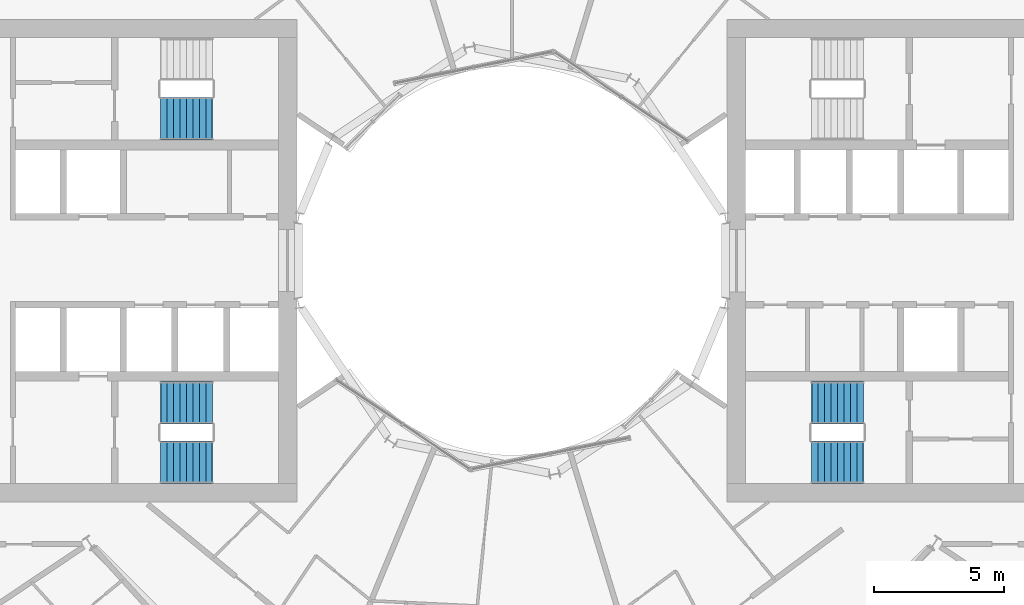
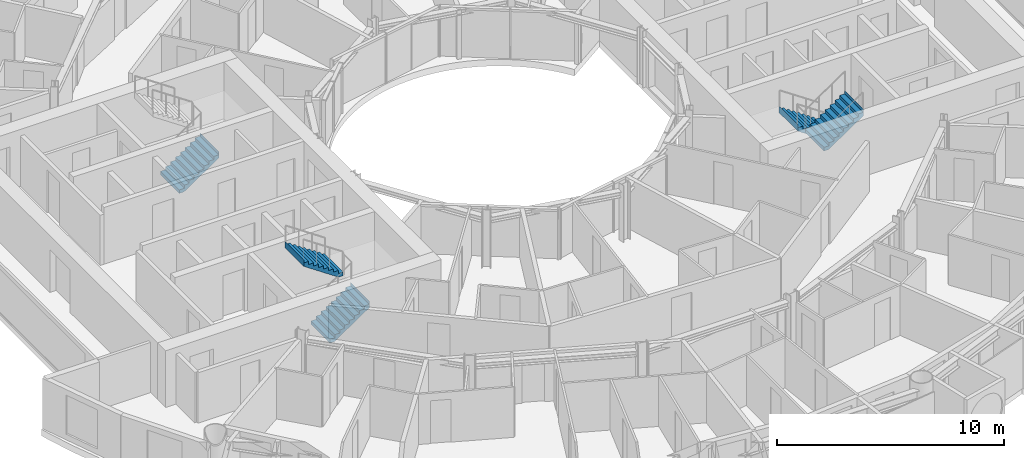
# One storey, part 24 of 26: 5 stair flights, 3 elements without a shape of their own.
"""IFC4 building model written with IfcOpenShell, lengths in metres."""

from ifc_helpers import new_model, si_unit, direction, frame, origin, place, context, subcontext, project, spatial, triangles, material, type_object, element, aggregate, save


model = new_model("IFC4")

# Units and contexts
model_context = context("Model", 3, precision=1e-05, world=origin(), true_north=direction((0.0, 1.0)))
body_context = subcontext(model_context, "Body", "Model", "MODEL_VIEW")
ifc_project = project(units=[si_unit("LENGTHUNIT", "METRE"), si_unit("AREAUNIT", "SQUARE_METRE"), si_unit("VOLUMEUNIT", "CUBIC_METRE"), si_unit("PLANEANGLEUNIT", "RADIAN"), si_unit("MASSUNIT", "GRAM", prefix="KILO")], contexts=[model_context])

# Site, building, storey
site_placement = place(None, origin())
site = spatial("IfcSite", under=ifc_project, at=site_placement, CompositionType="ELEMENT")
building_placement = place(site_placement, origin())
building = spatial("IfcBuilding", under=site, at=building_placement, Name="Maasbend Ring Residences", CompositionType="ELEMENT")
storey_placement = place(building_placement, frame((0.0, 0.0, 78.85009765625)))
storey = spatial("IfcBuildingStorey", under=building, at=storey_placement, Name="L22", CompositionType="ELEMENT", Elevation=78.85009765625)

# Stair, stair flights
ifc_material_1 = material(Name="Concrete C40/50", Category="concrete")
stair_type = type_object("IfcStairType", Name="CORE STAIR 18 RISERS", PredefinedType="HALF_TURN_STAIR", material=ifc_material_1)
stair_1_placement = place(storey_placement, origin())
stair_1 = element("IfcStair", 1, at=stair_1_placement, inside=storey, type_object=stair_type, Name="L22 Exit stair ST-E2", PredefinedType="HALF_TURN_STAIR")
ifc_material_2 = material(Name="Concrete C40/50", Category="concrete")
stair_flight_type = type_object("IfcStairFlightType", Name="CORE STAIR FLIGHT 1650", PredefinedType="STRAIGHT", material=ifc_material_2)
stair_flight_1_placement = place(storey_placement, frame((13.550048828125, -5.47509765625, 0.0), z_axis=(0.0, 0.0, 1.0), x_axis=(-1.0, 0.0, 0.0)))
stair_flight_1 = element("IfcStairFlight", 2, at=stair_flight_1_placement, type_object=stair_flight_type, Name="ST-E2 flight 1", NumberOfRisers=9, NumberOfTreads=8, PredefinedType="STRAIGHT", RiserHeight=0.169444444, TreadLength=0.25, context=body_context, shape_type="Tessellation", body=[
    triangles([(0.24072265625, 0.824951171875, -0.02001953125), (2.0029296875, 0.824951171875, 1.174560546875), (2.0029296875, 0.824951171875, 1.52490234375), (1.989990234375, 0.824951171875, 1.35546875), (1.75, 0.824951171875, 1.35546875), (1.75, 0.824951171875, 1.18603515625), (1.5, 0.824951171875, 1.18603515625), (1.5, 0.824951171875, 1.0166015625), (1.25, 0.824951171875, 1.0166015625), (1.25, 0.824951171875, 0.84716796875), (1.0, 0.824951171875, 0.84716796875), (1.0, 0.824951171875, 0.677734375), (0.75, 0.824951171875, 0.677734375), (0.75, 0.824951171875, 0.50830078125), (0.5, 0.824951171875, 0.50830078125), (0.5, 0.824951171875, 0.3388671875), (0.25, 0.824951171875, 0.3388671875), (0.25, 0.824951171875, 0.16943359375), (0.0, 0.824951171875, 0.16943359375), (0.0, 0.824951171875, 0.0), (-0.0029296875, 0.824951171875, 0.0), (-0.0029296875, 0.824951171875, -0.02001953125), (0.24072265625, 0.27490234375, -0.02001953125), (2.0029296875, 0.27490234375, 1.174560546875), (2.0029296875, 0.27490234375, 1.52490234375), (1.989990234375, 0.27490234375, 1.35546875), (1.75, 0.27490234375, 1.35546875), (1.75, 0.27490234375, 1.18603515625), (1.5, 0.27490234375, 1.18603515625), (1.5, 0.27490234375, 1.0166015625), (1.25, 0.27490234375, 1.0166015625), (1.25, 0.27490234375, 0.84716796875), (1.0, 0.27490234375, 0.84716796875), (1.0, 0.27490234375, 0.677734375), (0.75, 0.27490234375, 0.677734375), (0.75, 0.27490234375, 0.50830078125), (0.5, 0.27490234375, 0.50830078125), (0.5, 0.27490234375, 0.3388671875), (0.25, 0.27490234375, 0.3388671875), (0.25, 0.27490234375, 0.16943359375), (0.0, 0.27490234375, 0.16943359375), (0.0, 0.27490234375, 0.0), (-0.0029296875, 0.27490234375, 0.0), (-0.0029296875, 0.27490234375, -0.02001953125), (0.24072265625, -0.27490234375, -0.02001953125), (2.0029296875, -0.27490234375, 1.174560546875), (2.0029296875, -0.27490234375, 1.52490234375), (1.989990234375, -0.27490234375, 1.35546875), (1.75, -0.27490234375, 1.35546875), (1.75, -0.27490234375, 1.18603515625), (1.5, -0.27490234375, 1.18603515625), (1.5, -0.27490234375, 1.0166015625), (1.25, -0.27490234375, 1.0166015625), (1.25, -0.27490234375, 0.84716796875), (1.0, -0.27490234375, 0.84716796875), (1.0, -0.27490234375, 0.677734375), (0.75, -0.27490234375, 0.677734375), (0.75, -0.27490234375, 0.50830078125), (0.5, -0.27490234375, 0.50830078125), (0.5, -0.27490234375, 0.3388671875), (0.25, -0.27490234375, 0.3388671875), (0.25, -0.27490234375, 0.16943359375), (0.0, -0.27490234375, 0.16943359375), (0.0, -0.27490234375, 0.0), (-0.0029296875, -0.27490234375, 0.0), (-0.0029296875, -0.27490234375, -0.02001953125), (0.24072265625, -0.824951171875, -0.02001953125), (2.0029296875, -0.824951171875, 1.174560546875), (2.0029296875, -0.824951171875, 1.52490234375), (1.989990234375, -0.824951171875, 1.35546875), (1.75, -0.824951171875, 1.35546875), (1.75, -0.824951171875, 1.18603515625), (1.5, -0.824951171875, 1.18603515625), (1.5, -0.824951171875, 1.0166015625), (1.25, -0.824951171875, 1.0166015625), (1.25, -0.824951171875, 0.84716796875), (1.0, -0.824951171875, 0.84716796875), (1.0, -0.824951171875, 0.677734375), (0.75, -0.824951171875, 0.677734375), (0.75, -0.824951171875, 0.50830078125), (0.5, -0.824951171875, 0.50830078125), (0.5, -0.824951171875, 0.3388671875), (0.25, -0.824951171875, 0.3388671875), (0.25, -0.824951171875, 0.16943359375), (0.0, -0.824951171875, 0.16943359375), (0.0, -0.824951171875, 0.0), (-0.0029296875, -0.824951171875, 0.0), (-0.0029296875, -0.824951171875, -0.02001953125)], [[1, 2, 24], [1, 24, 23], [23, 24, 46], [23, 46, 45], [45, 46, 68], [45, 68, 67], [2, 3, 25], [2, 25, 24], [24, 25, 47], [24, 47, 46], [46, 47, 69], [46, 69, 68], [3, 4, 26], [3, 26, 25], [25, 26, 48], [25, 48, 47], [47, 48, 70], [47, 70, 69], [4, 5, 27], [4, 27, 26], [26, 27, 49], [26, 49, 48], [48, 49, 71], [48, 71, 70], [5, 6, 28], [5, 28, 27], [27, 28, 50], [27, 50, 49], [49, 50, 72], [49, 72, 71], [6, 7, 29], [6, 29, 28], [28, 29, 51], [28, 51, 50], [50, 51, 73], [50, 73, 72], [7, 8, 30], [7, 30, 29], [29, 30, 52], [29, 52, 51], [51, 52, 74], [51, 74, 73], [8, 9, 31], [8, 31, 30], [30, 31, 53], [30, 53, 52], [52, 53, 75], [52, 75, 74], [9, 10, 32], [9, 32, 31], [31, 32, 54], [31, 54, 53], [53, 54, 76], [53, 76, 75], [10, 11, 33], [10, 33, 32], [32, 33, 55], [32, 55, 54], [54, 55, 77], [54, 77, 76], [11, 12, 34], [11, 34, 33], [33, 34, 56], [33, 56, 55], [55, 56, 78], [55, 78, 77], [12, 13, 35], [12, 35, 34], [34, 35, 57], [34, 57, 56], [56, 57, 79], [56, 79, 78], [13, 14, 36], [13, 36, 35], [35, 36, 58], [35, 58, 57], [57, 58, 80], [57, 80, 79], [14, 15, 37], [14, 37, 36], [36, 37, 59], [36, 59, 58], [58, 59, 81], [58, 81, 80], [15, 16, 38], [15, 38, 37], [37, 38, 60], [37, 60, 59], [59, 60, 82], [59, 82, 81], [16, 17, 39], [16, 39, 38], [38, 39, 61], [38, 61, 60], [60, 61, 83], [60, 83, 82], [17, 18, 40], [17, 40, 39], [39, 40, 62], [39, 62, 61], [61, 62, 84], [61, 84, 83], [18, 19, 41], [18, 41, 40], [40, 41, 63], [40, 63, 62], [62, 63, 85], [62, 85, 84], [19, 20, 42], [19, 42, 41], [41, 42, 64], [41, 64, 63], [63, 64, 86], [63, 86, 85], [20, 21, 43], [20, 43, 42], [42, 43, 65], [42, 65, 64], [64, 65, 87], [64, 87, 86], [21, 22, 44], [21, 44, 43], [43, 44, 66], [43, 66, 65], [65, 66, 88], [65, 88, 87], [22, 1, 23], [22, 23, 44], [44, 23, 45], [44, 45, 66], [66, 45, 67], [66, 67, 88], [22, 2, 1], [2, 4, 3], [2, 5, 4], [2, 6, 5], [22, 6, 2], [6, 8, 7], [22, 8, 6], [8, 10, 9], [22, 10, 8], [10, 12, 11], [22, 12, 10], [12, 14, 13], [22, 14, 12], [14, 16, 15], [22, 16, 14], [16, 18, 17], [22, 18, 16], [18, 20, 19], [22, 20, 18], [20, 22, 21], [88, 67, 68], [68, 69, 70], [68, 70, 71], [68, 71, 72], [88, 68, 72], [72, 73, 74], [88, 72, 74], [74, 75, 76], [88, 74, 76], [76, 77, 78], [88, 76, 78], [78, 79, 80], [88, 78, 80], [80, 81, 82], [88, 80, 82], [82, 83, 84], [88, 82, 84], [84, 85, 86], [88, 84, 86], [86, 87, 88]], closed=True),
])
stair_flight_2_placement = place(storey_placement, frame((11.550048828125, -7.77490234375, 1.52490234375), z_axis=(0.0, 0.0, 1.0), x_axis=(1.0, 0.0, 0.0)))
stair_flight_2 = element("IfcStairFlight", 3, at=stair_flight_2_placement, type_object=stair_flight_type, Name="ST-E2 flight 2", NumberOfRisers=9, NumberOfTreads=8, PredefinedType="STRAIGHT", RiserHeight=0.169444444, TreadLength=0.25, context=body_context, shape_type="Tessellation", body=[
    triangles([(0.24072265625, 0.824951171875, -0.02001953125), (2.0029296875, 0.824951171875, 1.174560546875), (2.0029296875, 0.824951171875, 1.52490234375), (1.989990234375, 0.824951171875, 1.35546875), (1.75, 0.824951171875, 1.35546875), (1.75, 0.824951171875, 1.18603515625), (1.5, 0.824951171875, 1.18603515625), (1.5, 0.824951171875, 1.0166015625), (1.25, 0.824951171875, 1.0166015625), (1.25, 0.824951171875, 0.84716796875), (1.0, 0.824951171875, 0.84716796875), (1.0, 0.824951171875, 0.677734375), (0.75, 0.824951171875, 0.677734375), (0.75, 0.824951171875, 0.50830078125), (0.5, 0.824951171875, 0.50830078125), (0.5, 0.824951171875, 0.3388671875), (0.25, 0.824951171875, 0.3388671875), (0.25, 0.824951171875, 0.16943359375), (0.0, 0.824951171875, 0.16943359375), (0.0, 0.824951171875, 0.0), (-0.0029296875, 0.824951171875, 0.0), (-0.0029296875, 0.824951171875, -0.02001953125), (0.24072265625, 0.27490234375, -0.02001953125), (2.0029296875, 0.27490234375, 1.174560546875), (2.0029296875, 0.27490234375, 1.52490234375), (1.989990234375, 0.27490234375, 1.35546875), (1.75, 0.27490234375, 1.35546875), (1.75, 0.27490234375, 1.18603515625), (1.5, 0.27490234375, 1.18603515625), (1.5, 0.27490234375, 1.0166015625), (1.25, 0.27490234375, 1.0166015625), (1.25, 0.27490234375, 0.84716796875), (1.0, 0.27490234375, 0.84716796875), (1.0, 0.27490234375, 0.677734375), (0.75, 0.27490234375, 0.677734375), (0.75, 0.27490234375, 0.50830078125), (0.5, 0.27490234375, 0.50830078125), (0.5, 0.27490234375, 0.3388671875), (0.25, 0.27490234375, 0.3388671875), (0.25, 0.27490234375, 0.16943359375), (0.0, 0.27490234375, 0.16943359375), (0.0, 0.27490234375, 0.0), (-0.0029296875, 0.27490234375, 0.0), (-0.0029296875, 0.27490234375, -0.02001953125), (0.24072265625, -0.27490234375, -0.02001953125), (2.0029296875, -0.27490234375, 1.174560546875), (2.0029296875, -0.27490234375, 1.52490234375), (1.989990234375, -0.27490234375, 1.35546875), (1.75, -0.27490234375, 1.35546875), (1.75, -0.27490234375, 1.18603515625), (1.5, -0.27490234375, 1.18603515625), (1.5, -0.27490234375, 1.0166015625), (1.25, -0.27490234375, 1.0166015625), (1.25, -0.27490234375, 0.84716796875), (1.0, -0.27490234375, 0.84716796875), (1.0, -0.27490234375, 0.677734375), (0.75, -0.27490234375, 0.677734375), (0.75, -0.27490234375, 0.50830078125), (0.5, -0.27490234375, 0.50830078125), (0.5, -0.27490234375, 0.3388671875), (0.25, -0.27490234375, 0.3388671875), (0.25, -0.27490234375, 0.16943359375), (0.0, -0.27490234375, 0.16943359375), (0.0, -0.27490234375, 0.0), (-0.0029296875, -0.27490234375, 0.0), (-0.0029296875, -0.27490234375, -0.02001953125), (0.24072265625, -0.824951171875, -0.02001953125), (2.0029296875, -0.824951171875, 1.174560546875), (2.0029296875, -0.824951171875, 1.52490234375), (1.989990234375, -0.824951171875, 1.35546875), (1.75, -0.824951171875, 1.35546875), (1.75, -0.824951171875, 1.18603515625), (1.5, -0.824951171875, 1.18603515625), (1.5, -0.824951171875, 1.0166015625), (1.25, -0.824951171875, 1.0166015625), (1.25, -0.824951171875, 0.84716796875), (1.0, -0.824951171875, 0.84716796875), (1.0, -0.824951171875, 0.677734375), (0.75, -0.824951171875, 0.677734375), (0.75, -0.824951171875, 0.50830078125), (0.5, -0.824951171875, 0.50830078125), (0.5, -0.824951171875, 0.3388671875), (0.25, -0.824951171875, 0.3388671875), (0.25, -0.824951171875, 0.16943359375), (0.0, -0.824951171875, 0.16943359375), (0.0, -0.824951171875, 0.0), (-0.0029296875, -0.824951171875, 0.0), (-0.0029296875, -0.824951171875, -0.02001953125)], [[1, 2, 24], [1, 24, 23], [23, 24, 46], [23, 46, 45], [45, 46, 68], [45, 68, 67], [2, 3, 25], [2, 25, 24], [24, 25, 47], [24, 47, 46], [46, 47, 69], [46, 69, 68], [3, 4, 26], [3, 26, 25], [25, 26, 48], [25, 48, 47], [47, 48, 70], [47, 70, 69], [4, 5, 27], [4, 27, 26], [26, 27, 49], [26, 49, 48], [48, 49, 71], [48, 71, 70], [5, 6, 28], [5, 28, 27], [27, 28, 50], [27, 50, 49], [49, 50, 72], [49, 72, 71], [6, 7, 29], [6, 29, 28], [28, 29, 51], [28, 51, 50], [50, 51, 73], [50, 73, 72], [7, 8, 30], [7, 30, 29], [29, 30, 52], [29, 52, 51], [51, 52, 74], [51, 74, 73], [8, 9, 31], [8, 31, 30], [30, 31, 53], [30, 53, 52], [52, 53, 75], [52, 75, 74], [9, 10, 32], [9, 32, 31], [31, 32, 54], [31, 54, 53], [53, 54, 76], [53, 76, 75], [10, 11, 33], [10, 33, 32], [32, 33, 55], [32, 55, 54], [54, 55, 77], [54, 77, 76], [11, 12, 34], [11, 34, 33], [33, 34, 56], [33, 56, 55], [55, 56, 78], [55, 78, 77], [12, 13, 35], [12, 35, 34], [34, 35, 57], [34, 57, 56], [56, 57, 79], [56, 79, 78], [13, 14, 36], [13, 36, 35], [35, 36, 58], [35, 58, 57], [57, 58, 80], [57, 80, 79], [14, 15, 37], [14, 37, 36], [36, 37, 59], [36, 59, 58], [58, 59, 81], [58, 81, 80], [15, 16, 38], [15, 38, 37], [37, 38, 60], [37, 60, 59], [59, 60, 82], [59, 82, 81], [16, 17, 39], [16, 39, 38], [38, 39, 61], [38, 61, 60], [60, 61, 83], [60, 83, 82], [17, 18, 40], [17, 40, 39], [39, 40, 62], [39, 62, 61], [61, 62, 84], [61, 84, 83], [18, 19, 41], [18, 41, 40], [40, 41, 63], [40, 63, 62], [62, 63, 85], [62, 85, 84], [19, 20, 42], [19, 42, 41], [41, 42, 64], [41, 64, 63], [63, 64, 86], [63, 86, 85], [20, 21, 43], [20, 43, 42], [42, 43, 65], [42, 65, 64], [64, 65, 87], [64, 87, 86], [21, 22, 44], [21, 44, 43], [43, 44, 66], [43, 66, 65], [65, 66, 88], [65, 88, 87], [22, 1, 23], [22, 23, 44], [44, 23, 45], [44, 45, 66], [66, 45, 67], [66, 67, 88], [22, 2, 1], [2, 4, 3], [2, 5, 4], [2, 6, 5], [22, 6, 2], [6, 8, 7], [22, 8, 6], [8, 10, 9], [22, 10, 8], [10, 12, 11], [22, 12, 10], [12, 14, 13], [22, 14, 12], [14, 16, 15], [22, 16, 14], [16, 18, 17], [22, 18, 16], [18, 20, 19], [22, 20, 18], [20, 22, 21], [88, 67, 68], [68, 69, 70], [68, 70, 71], [68, 71, 72], [88, 68, 72], [72, 73, 74], [88, 72, 74], [74, 75, 76], [88, 74, 76], [76, 77, 78], [88, 76, 78], [78, 79, 80], [88, 78, 80], [80, 81, 82], [88, 80, 82], [82, 83, 84], [88, 82, 84], [84, 85, 86], [88, 84, 86], [86, 87, 88]], closed=True),
])
aggregate(stair_1, [stair_flight_1, stair_flight_2])

stair_2_placement = place(storey_placement, origin())
stair_2 = element("IfcStair", 4, at=stair_2_placement, inside=storey, type_object=stair_type, Name="L22 Exit stair ST-W1", PredefinedType="HALF_TURN_STAIR")
stair_flight_3_placement = place(storey_placement, frame((-13.550048828125, -7.77490234375, 0.0), z_axis=(0.0, 0.0, 1.0), x_axis=(1.0, 0.0, 0.0)))
stair_flight_3 = element("IfcStairFlight", 5, at=stair_flight_3_placement, type_object=stair_flight_type, Name="ST-W1 flight 1", NumberOfRisers=9, NumberOfTreads=8, PredefinedType="STRAIGHT", RiserHeight=0.169444444, TreadLength=0.25, context=body_context, shape_type="Tessellation", body=[
    triangles([(0.24072265625, 0.824951171875, -0.02001953125), (2.0029296875, 0.824951171875, 1.174560546875), (2.0029296875, 0.824951171875, 1.52490234375), (1.989990234375, 0.824951171875, 1.35546875), (1.75, 0.824951171875, 1.35546875), (1.75, 0.824951171875, 1.18603515625), (1.5, 0.824951171875, 1.18603515625), (1.5, 0.824951171875, 1.0166015625), (1.25, 0.824951171875, 1.0166015625), (1.25, 0.824951171875, 0.84716796875), (1.0, 0.824951171875, 0.84716796875), (1.0, 0.824951171875, 0.677734375), (0.75, 0.824951171875, 0.677734375), (0.75, 0.824951171875, 0.50830078125), (0.5, 0.824951171875, 0.50830078125), (0.5, 0.824951171875, 0.3388671875), (0.25, 0.824951171875, 0.3388671875), (0.25, 0.824951171875, 0.16943359375), (0.0, 0.824951171875, 0.16943359375), (0.0, 0.824951171875, 0.0), (-0.0029296875, 0.824951171875, 0.0), (-0.0029296875, 0.824951171875, -0.02001953125), (0.24072265625, 0.27490234375, -0.02001953125), (2.0029296875, 0.27490234375, 1.174560546875), (2.0029296875, 0.27490234375, 1.52490234375), (1.989990234375, 0.27490234375, 1.35546875), (1.75, 0.27490234375, 1.35546875), (1.75, 0.27490234375, 1.18603515625), (1.5, 0.27490234375, 1.18603515625), (1.5, 0.27490234375, 1.0166015625), (1.25, 0.27490234375, 1.0166015625), (1.25, 0.27490234375, 0.84716796875), (1.0, 0.27490234375, 0.84716796875), (1.0, 0.27490234375, 0.677734375), (0.75, 0.27490234375, 0.677734375), (0.75, 0.27490234375, 0.50830078125), (0.5, 0.27490234375, 0.50830078125), (0.5, 0.27490234375, 0.3388671875), (0.25, 0.27490234375, 0.3388671875), (0.25, 0.27490234375, 0.16943359375), (0.0, 0.27490234375, 0.16943359375), (0.0, 0.27490234375, 0.0), (-0.0029296875, 0.27490234375, 0.0), (-0.0029296875, 0.27490234375, -0.02001953125), (0.24072265625, -0.27490234375, -0.02001953125), (2.0029296875, -0.27490234375, 1.174560546875), (2.0029296875, -0.27490234375, 1.52490234375), (1.989990234375, -0.27490234375, 1.35546875), (1.75, -0.27490234375, 1.35546875), (1.75, -0.27490234375, 1.18603515625), (1.5, -0.27490234375, 1.18603515625), (1.5, -0.27490234375, 1.0166015625), (1.25, -0.27490234375, 1.0166015625), (1.25, -0.27490234375, 0.84716796875), (1.0, -0.27490234375, 0.84716796875), (1.0, -0.27490234375, 0.677734375), (0.75, -0.27490234375, 0.677734375), (0.75, -0.27490234375, 0.50830078125), (0.5, -0.27490234375, 0.50830078125), (0.5, -0.27490234375, 0.3388671875), (0.25, -0.27490234375, 0.3388671875), (0.25, -0.27490234375, 0.16943359375), (0.0, -0.27490234375, 0.16943359375), (0.0, -0.27490234375, 0.0), (-0.0029296875, -0.27490234375, 0.0), (-0.0029296875, -0.27490234375, -0.02001953125), (0.24072265625, -0.824951171875, -0.02001953125), (2.0029296875, -0.824951171875, 1.174560546875), (2.0029296875, -0.824951171875, 1.52490234375), (1.989990234375, -0.824951171875, 1.35546875), (1.75, -0.824951171875, 1.35546875), (1.75, -0.824951171875, 1.18603515625), (1.5, -0.824951171875, 1.18603515625), (1.5, -0.824951171875, 1.0166015625), (1.25, -0.824951171875, 1.0166015625), (1.25, -0.824951171875, 0.84716796875), (1.0, -0.824951171875, 0.84716796875), (1.0, -0.824951171875, 0.677734375), (0.75, -0.824951171875, 0.677734375), (0.75, -0.824951171875, 0.50830078125), (0.5, -0.824951171875, 0.50830078125), (0.5, -0.824951171875, 0.3388671875), (0.25, -0.824951171875, 0.3388671875), (0.25, -0.824951171875, 0.16943359375), (0.0, -0.824951171875, 0.16943359375), (0.0, -0.824951171875, 0.0), (-0.0029296875, -0.824951171875, 0.0), (-0.0029296875, -0.824951171875, -0.02001953125)], [[1, 2, 24], [1, 24, 23], [23, 24, 46], [23, 46, 45], [45, 46, 68], [45, 68, 67], [2, 3, 25], [2, 25, 24], [24, 25, 47], [24, 47, 46], [46, 47, 69], [46, 69, 68], [3, 4, 26], [3, 26, 25], [25, 26, 48], [25, 48, 47], [47, 48, 70], [47, 70, 69], [4, 5, 27], [4, 27, 26], [26, 27, 49], [26, 49, 48], [48, 49, 71], [48, 71, 70], [5, 6, 28], [5, 28, 27], [27, 28, 50], [27, 50, 49], [49, 50, 72], [49, 72, 71], [6, 7, 29], [6, 29, 28], [28, 29, 51], [28, 51, 50], [50, 51, 73], [50, 73, 72], [7, 8, 30], [7, 30, 29], [29, 30, 52], [29, 52, 51], [51, 52, 74], [51, 74, 73], [8, 9, 31], [8, 31, 30], [30, 31, 53], [30, 53, 52], [52, 53, 75], [52, 75, 74], [9, 10, 32], [9, 32, 31], [31, 32, 54], [31, 54, 53], [53, 54, 76], [53, 76, 75], [10, 11, 33], [10, 33, 32], [32, 33, 55], [32, 55, 54], [54, 55, 77], [54, 77, 76], [11, 12, 34], [11, 34, 33], [33, 34, 56], [33, 56, 55], [55, 56, 78], [55, 78, 77], [12, 13, 35], [12, 35, 34], [34, 35, 57], [34, 57, 56], [56, 57, 79], [56, 79, 78], [13, 14, 36], [13, 36, 35], [35, 36, 58], [35, 58, 57], [57, 58, 80], [57, 80, 79], [14, 15, 37], [14, 37, 36], [36, 37, 59], [36, 59, 58], [58, 59, 81], [58, 81, 80], [15, 16, 38], [15, 38, 37], [37, 38, 60], [37, 60, 59], [59, 60, 82], [59, 82, 81], [16, 17, 39], [16, 39, 38], [38, 39, 61], [38, 61, 60], [60, 61, 83], [60, 83, 82], [17, 18, 40], [17, 40, 39], [39, 40, 62], [39, 62, 61], [61, 62, 84], [61, 84, 83], [18, 19, 41], [18, 41, 40], [40, 41, 63], [40, 63, 62], [62, 63, 85], [62, 85, 84], [19, 20, 42], [19, 42, 41], [41, 42, 64], [41, 64, 63], [63, 64, 86], [63, 86, 85], [20, 21, 43], [20, 43, 42], [42, 43, 65], [42, 65, 64], [64, 65, 87], [64, 87, 86], [21, 22, 44], [21, 44, 43], [43, 44, 66], [43, 66, 65], [65, 66, 88], [65, 88, 87], [22, 1, 23], [22, 23, 44], [44, 23, 45], [44, 45, 66], [66, 45, 67], [66, 67, 88], [22, 2, 1], [2, 4, 3], [2, 5, 4], [2, 6, 5], [22, 6, 2], [6, 8, 7], [22, 8, 6], [8, 10, 9], [22, 10, 8], [10, 12, 11], [22, 12, 10], [12, 14, 13], [22, 14, 12], [14, 16, 15], [22, 16, 14], [16, 18, 17], [22, 18, 16], [18, 20, 19], [22, 20, 18], [20, 22, 21], [88, 67, 68], [68, 69, 70], [68, 70, 71], [68, 71, 72], [88, 68, 72], [72, 73, 74], [88, 72, 74], [74, 75, 76], [88, 74, 76], [76, 77, 78], [88, 76, 78], [78, 79, 80], [88, 78, 80], [80, 81, 82], [88, 80, 82], [82, 83, 84], [88, 82, 84], [84, 85, 86], [88, 84, 86], [86, 87, 88]], closed=True),
])
stair_flight_4_placement = place(storey_placement, frame((-11.550048828125, -5.47509765625, 1.52490234375), z_axis=(0.0, 0.0, 1.0), x_axis=(-1.0, 0.0, 0.0)))
stair_flight_4 = element("IfcStairFlight", 6, at=stair_flight_4_placement, type_object=stair_flight_type, Name="ST-W1 flight 2", NumberOfRisers=9, NumberOfTreads=8, PredefinedType="STRAIGHT", RiserHeight=0.169444444, TreadLength=0.25, context=body_context, shape_type="Tessellation", body=[
    triangles([(0.24072265625, 0.824951171875, -0.02001953125), (2.0029296875, 0.824951171875, 1.174560546875), (2.0029296875, 0.824951171875, 1.52490234375), (1.989990234375, 0.824951171875, 1.35546875), (1.75, 0.824951171875, 1.35546875), (1.75, 0.824951171875, 1.18603515625), (1.5, 0.824951171875, 1.18603515625), (1.5, 0.824951171875, 1.0166015625), (1.25, 0.824951171875, 1.0166015625), (1.25, 0.824951171875, 0.84716796875), (1.0, 0.824951171875, 0.84716796875), (1.0, 0.824951171875, 0.677734375), (0.75, 0.824951171875, 0.677734375), (0.75, 0.824951171875, 0.50830078125), (0.5, 0.824951171875, 0.50830078125), (0.5, 0.824951171875, 0.3388671875), (0.25, 0.824951171875, 0.3388671875), (0.25, 0.824951171875, 0.16943359375), (0.0, 0.824951171875, 0.16943359375), (0.0, 0.824951171875, 0.0), (-0.0029296875, 0.824951171875, 0.0), (-0.0029296875, 0.824951171875, -0.02001953125), (0.24072265625, 0.27490234375, -0.02001953125), (2.0029296875, 0.27490234375, 1.174560546875), (2.0029296875, 0.27490234375, 1.52490234375), (1.989990234375, 0.27490234375, 1.35546875), (1.75, 0.27490234375, 1.35546875), (1.75, 0.27490234375, 1.18603515625), (1.5, 0.27490234375, 1.18603515625), (1.5, 0.27490234375, 1.0166015625), (1.25, 0.27490234375, 1.0166015625), (1.25, 0.27490234375, 0.84716796875), (1.0, 0.27490234375, 0.84716796875), (1.0, 0.27490234375, 0.677734375), (0.75, 0.27490234375, 0.677734375), (0.75, 0.27490234375, 0.50830078125), (0.5, 0.27490234375, 0.50830078125), (0.5, 0.27490234375, 0.3388671875), (0.25, 0.27490234375, 0.3388671875), (0.25, 0.27490234375, 0.16943359375), (0.0, 0.27490234375, 0.16943359375), (0.0, 0.27490234375, 0.0), (-0.0029296875, 0.27490234375, 0.0), (-0.0029296875, 0.27490234375, -0.02001953125), (0.24072265625, -0.27490234375, -0.02001953125), (2.0029296875, -0.27490234375, 1.174560546875), (2.0029296875, -0.27490234375, 1.52490234375), (1.989990234375, -0.27490234375, 1.35546875), (1.75, -0.27490234375, 1.35546875), (1.75, -0.27490234375, 1.18603515625), (1.5, -0.27490234375, 1.18603515625), (1.5, -0.27490234375, 1.0166015625), (1.25, -0.27490234375, 1.0166015625), (1.25, -0.27490234375, 0.84716796875), (1.0, -0.27490234375, 0.84716796875), (1.0, -0.27490234375, 0.677734375), (0.75, -0.27490234375, 0.677734375), (0.75, -0.27490234375, 0.50830078125), (0.5, -0.27490234375, 0.50830078125), (0.5, -0.27490234375, 0.3388671875), (0.25, -0.27490234375, 0.3388671875), (0.25, -0.27490234375, 0.16943359375), (0.0, -0.27490234375, 0.16943359375), (0.0, -0.27490234375, 0.0), (-0.0029296875, -0.27490234375, 0.0), (-0.0029296875, -0.27490234375, -0.02001953125), (0.24072265625, -0.824951171875, -0.02001953125), (2.0029296875, -0.824951171875, 1.174560546875), (2.0029296875, -0.824951171875, 1.52490234375), (1.989990234375, -0.824951171875, 1.35546875), (1.75, -0.824951171875, 1.35546875), (1.75, -0.824951171875, 1.18603515625), (1.5, -0.824951171875, 1.18603515625), (1.5, -0.824951171875, 1.0166015625), (1.25, -0.824951171875, 1.0166015625), (1.25, -0.824951171875, 0.84716796875), (1.0, -0.824951171875, 0.84716796875), (1.0, -0.824951171875, 0.677734375), (0.75, -0.824951171875, 0.677734375), (0.75, -0.824951171875, 0.50830078125), (0.5, -0.824951171875, 0.50830078125), (0.5, -0.824951171875, 0.3388671875), (0.25, -0.824951171875, 0.3388671875), (0.25, -0.824951171875, 0.16943359375), (0.0, -0.824951171875, 0.16943359375), (0.0, -0.824951171875, 0.0), (-0.0029296875, -0.824951171875, 0.0), (-0.0029296875, -0.824951171875, -0.02001953125)], [[1, 2, 24], [1, 24, 23], [23, 24, 46], [23, 46, 45], [45, 46, 68], [45, 68, 67], [2, 3, 25], [2, 25, 24], [24, 25, 47], [24, 47, 46], [46, 47, 69], [46, 69, 68], [3, 4, 26], [3, 26, 25], [25, 26, 48], [25, 48, 47], [47, 48, 70], [47, 70, 69], [4, 5, 27], [4, 27, 26], [26, 27, 49], [26, 49, 48], [48, 49, 71], [48, 71, 70], [5, 6, 28], [5, 28, 27], [27, 28, 50], [27, 50, 49], [49, 50, 72], [49, 72, 71], [6, 7, 29], [6, 29, 28], [28, 29, 51], [28, 51, 50], [50, 51, 73], [50, 73, 72], [7, 8, 30], [7, 30, 29], [29, 30, 52], [29, 52, 51], [51, 52, 74], [51, 74, 73], [8, 9, 31], [8, 31, 30], [30, 31, 53], [30, 53, 52], [52, 53, 75], [52, 75, 74], [9, 10, 32], [9, 32, 31], [31, 32, 54], [31, 54, 53], [53, 54, 76], [53, 76, 75], [10, 11, 33], [10, 33, 32], [32, 33, 55], [32, 55, 54], [54, 55, 77], [54, 77, 76], [11, 12, 34], [11, 34, 33], [33, 34, 56], [33, 56, 55], [55, 56, 78], [55, 78, 77], [12, 13, 35], [12, 35, 34], [34, 35, 57], [34, 57, 56], [56, 57, 79], [56, 79, 78], [13, 14, 36], [13, 36, 35], [35, 36, 58], [35, 58, 57], [57, 58, 80], [57, 80, 79], [14, 15, 37], [14, 37, 36], [36, 37, 59], [36, 59, 58], [58, 59, 81], [58, 81, 80], [15, 16, 38], [15, 38, 37], [37, 38, 60], [37, 60, 59], [59, 60, 82], [59, 82, 81], [16, 17, 39], [16, 39, 38], [38, 39, 61], [38, 61, 60], [60, 61, 83], [60, 83, 82], [17, 18, 40], [17, 40, 39], [39, 40, 62], [39, 62, 61], [61, 62, 84], [61, 84, 83], [18, 19, 41], [18, 41, 40], [40, 41, 63], [40, 63, 62], [62, 63, 85], [62, 85, 84], [19, 20, 42], [19, 42, 41], [41, 42, 64], [41, 64, 63], [63, 64, 86], [63, 86, 85], [20, 21, 43], [20, 43, 42], [42, 43, 65], [42, 65, 64], [64, 65, 87], [64, 87, 86], [21, 22, 44], [21, 44, 43], [43, 44, 66], [43, 66, 65], [65, 66, 88], [65, 88, 87], [22, 1, 23], [22, 23, 44], [44, 23, 45], [44, 45, 66], [66, 45, 67], [66, 67, 88], [22, 2, 1], [2, 4, 3], [2, 5, 4], [2, 6, 5], [22, 6, 2], [6, 8, 7], [22, 8, 6], [8, 10, 9], [22, 10, 8], [10, 12, 11], [22, 12, 10], [12, 14, 13], [22, 14, 12], [14, 16, 15], [22, 16, 14], [16, 18, 17], [22, 18, 16], [18, 20, 19], [22, 20, 18], [20, 22, 21], [88, 67, 68], [68, 69, 70], [68, 70, 71], [68, 71, 72], [88, 68, 72], [72, 73, 74], [88, 72, 74], [74, 75, 76], [88, 74, 76], [76, 77, 78], [88, 76, 78], [78, 79, 80], [88, 78, 80], [80, 81, 82], [88, 80, 82], [82, 83, 84], [88, 82, 84], [84, 85, 86], [88, 84, 86], [86, 87, 88]], closed=True),
])
aggregate(stair_2, [stair_flight_3, stair_flight_4])

# Stair, stair flight
stair_3_placement = place(storey_placement, origin())
stair_3 = element("IfcStair", 7, at=stair_3_placement, inside=storey, type_object=stair_type, Name="L22 Exit stair ST-W2", PredefinedType="HALF_TURN_STAIR")
stair_flight_5_placement = place(storey_placement, frame((-13.550048828125, 5.47509765625, 0.0), z_axis=(0.0, 0.0, 1.0), x_axis=(1.0, 0.0, 0.0)))
stair_flight_5 = element("IfcStairFlight", 8, at=stair_flight_5_placement, type_object=stair_flight_type, Name="ST-W2 flight 1", NumberOfRisers=9, NumberOfTreads=8, PredefinedType="STRAIGHT", RiserHeight=0.169444444, TreadLength=0.25, context=body_context, shape_type="Tessellation", body=[
    triangles([(0.24072265625, 0.824951171875, -0.02001953125), (2.0029296875, 0.824951171875, 1.174560546875), (2.0029296875, 0.824951171875, 1.52490234375), (1.989990234375, 0.824951171875, 1.35546875), (1.75, 0.824951171875, 1.35546875), (1.75, 0.824951171875, 1.18603515625), (1.5, 0.824951171875, 1.18603515625), (1.5, 0.824951171875, 1.0166015625), (1.25, 0.824951171875, 1.0166015625), (1.25, 0.824951171875, 0.84716796875), (1.0, 0.824951171875, 0.84716796875), (1.0, 0.824951171875, 0.677734375), (0.75, 0.824951171875, 0.677734375), (0.75, 0.824951171875, 0.50830078125), (0.5, 0.824951171875, 0.50830078125), (0.5, 0.824951171875, 0.3388671875), (0.25, 0.824951171875, 0.3388671875), (0.25, 0.824951171875, 0.16943359375), (0.0, 0.824951171875, 0.16943359375), (0.0, 0.824951171875, 0.0), (-0.0029296875, 0.824951171875, 0.0), (-0.0029296875, 0.824951171875, -0.02001953125), (0.24072265625, 0.27490234375, -0.02001953125), (2.0029296875, 0.27490234375, 1.174560546875), (2.0029296875, 0.27490234375, 1.52490234375), (1.989990234375, 0.27490234375, 1.35546875), (1.75, 0.27490234375, 1.35546875), (1.75, 0.27490234375, 1.18603515625), (1.5, 0.27490234375, 1.18603515625), (1.5, 0.27490234375, 1.0166015625), (1.25, 0.27490234375, 1.0166015625), (1.25, 0.27490234375, 0.84716796875), (1.0, 0.27490234375, 0.84716796875), (1.0, 0.27490234375, 0.677734375), (0.75, 0.27490234375, 0.677734375), (0.75, 0.27490234375, 0.50830078125), (0.5, 0.27490234375, 0.50830078125), (0.5, 0.27490234375, 0.3388671875), (0.25, 0.27490234375, 0.3388671875), (0.25, 0.27490234375, 0.16943359375), (0.0, 0.27490234375, 0.16943359375), (0.0, 0.27490234375, 0.0), (-0.0029296875, 0.27490234375, 0.0), (-0.0029296875, 0.27490234375, -0.02001953125), (0.24072265625, -0.27490234375, -0.02001953125), (2.0029296875, -0.27490234375, 1.174560546875), (2.0029296875, -0.27490234375, 1.52490234375), (1.989990234375, -0.27490234375, 1.35546875), (1.75, -0.27490234375, 1.35546875), (1.75, -0.27490234375, 1.18603515625), (1.5, -0.27490234375, 1.18603515625), (1.5, -0.27490234375, 1.0166015625), (1.25, -0.27490234375, 1.0166015625), (1.25, -0.27490234375, 0.84716796875), (1.0, -0.27490234375, 0.84716796875), (1.0, -0.27490234375, 0.677734375), (0.75, -0.27490234375, 0.677734375), (0.75, -0.27490234375, 0.50830078125), (0.5, -0.27490234375, 0.50830078125), (0.5, -0.27490234375, 0.3388671875), (0.25, -0.27490234375, 0.3388671875), (0.25, -0.27490234375, 0.16943359375), (0.0, -0.27490234375, 0.16943359375), (0.0, -0.27490234375, 0.0), (-0.0029296875, -0.27490234375, 0.0), (-0.0029296875, -0.27490234375, -0.02001953125), (0.24072265625, -0.824951171875, -0.02001953125), (2.0029296875, -0.824951171875, 1.174560546875), (2.0029296875, -0.824951171875, 1.52490234375), (1.989990234375, -0.824951171875, 1.35546875), (1.75, -0.824951171875, 1.35546875), (1.75, -0.824951171875, 1.18603515625), (1.5, -0.824951171875, 1.18603515625), (1.5, -0.824951171875, 1.0166015625), (1.25, -0.824951171875, 1.0166015625), (1.25, -0.824951171875, 0.84716796875), (1.0, -0.824951171875, 0.84716796875), (1.0, -0.824951171875, 0.677734375), (0.75, -0.824951171875, 0.677734375), (0.75, -0.824951171875, 0.50830078125), (0.5, -0.824951171875, 0.50830078125), (0.5, -0.824951171875, 0.3388671875), (0.25, -0.824951171875, 0.3388671875), (0.25, -0.824951171875, 0.16943359375), (0.0, -0.824951171875, 0.16943359375), (0.0, -0.824951171875, 0.0), (-0.0029296875, -0.824951171875, 0.0), (-0.0029296875, -0.824951171875, -0.02001953125)], [[1, 2, 24], [1, 24, 23], [23, 24, 46], [23, 46, 45], [45, 46, 68], [45, 68, 67], [2, 3, 25], [2, 25, 24], [24, 25, 47], [24, 47, 46], [46, 47, 69], [46, 69, 68], [3, 4, 26], [3, 26, 25], [25, 26, 48], [25, 48, 47], [47, 48, 70], [47, 70, 69], [4, 5, 27], [4, 27, 26], [26, 27, 49], [26, 49, 48], [48, 49, 71], [48, 71, 70], [5, 6, 28], [5, 28, 27], [27, 28, 50], [27, 50, 49], [49, 50, 72], [49, 72, 71], [6, 7, 29], [6, 29, 28], [28, 29, 51], [28, 51, 50], [50, 51, 73], [50, 73, 72], [7, 8, 30], [7, 30, 29], [29, 30, 52], [29, 52, 51], [51, 52, 74], [51, 74, 73], [8, 9, 31], [8, 31, 30], [30, 31, 53], [30, 53, 52], [52, 53, 75], [52, 75, 74], [9, 10, 32], [9, 32, 31], [31, 32, 54], [31, 54, 53], [53, 54, 76], [53, 76, 75], [10, 11, 33], [10, 33, 32], [32, 33, 55], [32, 55, 54], [54, 55, 77], [54, 77, 76], [11, 12, 34], [11, 34, 33], [33, 34, 56], [33, 56, 55], [55, 56, 78], [55, 78, 77], [12, 13, 35], [12, 35, 34], [34, 35, 57], [34, 57, 56], [56, 57, 79], [56, 79, 78], [13, 14, 36], [13, 36, 35], [35, 36, 58], [35, 58, 57], [57, 58, 80], [57, 80, 79], [14, 15, 37], [14, 37, 36], [36, 37, 59], [36, 59, 58], [58, 59, 81], [58, 81, 80], [15, 16, 38], [15, 38, 37], [37, 38, 60], [37, 60, 59], [59, 60, 82], [59, 82, 81], [16, 17, 39], [16, 39, 38], [38, 39, 61], [38, 61, 60], [60, 61, 83], [60, 83, 82], [17, 18, 40], [17, 40, 39], [39, 40, 62], [39, 62, 61], [61, 62, 84], [61, 84, 83], [18, 19, 41], [18, 41, 40], [40, 41, 63], [40, 63, 62], [62, 63, 85], [62, 85, 84], [19, 20, 42], [19, 42, 41], [41, 42, 64], [41, 64, 63], [63, 64, 86], [63, 86, 85], [20, 21, 43], [20, 43, 42], [42, 43, 65], [42, 65, 64], [64, 65, 87], [64, 87, 86], [21, 22, 44], [21, 44, 43], [43, 44, 66], [43, 66, 65], [65, 66, 88], [65, 88, 87], [22, 1, 23], [22, 23, 44], [44, 23, 45], [44, 45, 66], [66, 45, 67], [66, 67, 88], [22, 2, 1], [2, 4, 3], [2, 5, 4], [2, 6, 5], [22, 6, 2], [6, 8, 7], [22, 8, 6], [8, 10, 9], [22, 10, 8], [10, 12, 11], [22, 12, 10], [12, 14, 13], [22, 14, 12], [14, 16, 15], [22, 16, 14], [16, 18, 17], [22, 18, 16], [18, 20, 19], [22, 20, 18], [20, 22, 21], [88, 67, 68], [68, 69, 70], [68, 70, 71], [68, 71, 72], [88, 68, 72], [72, 73, 74], [88, 72, 74], [74, 75, 76], [88, 74, 76], [76, 77, 78], [88, 76, 78], [78, 79, 80], [88, 78, 80], [80, 81, 82], [88, 80, 82], [82, 83, 84], [88, 82, 84], [84, 85, 86], [88, 84, 86], [86, 87, 88]], closed=True),
])
aggregate(stair_3, [stair_flight_5])

save(model, "model.ifc")
